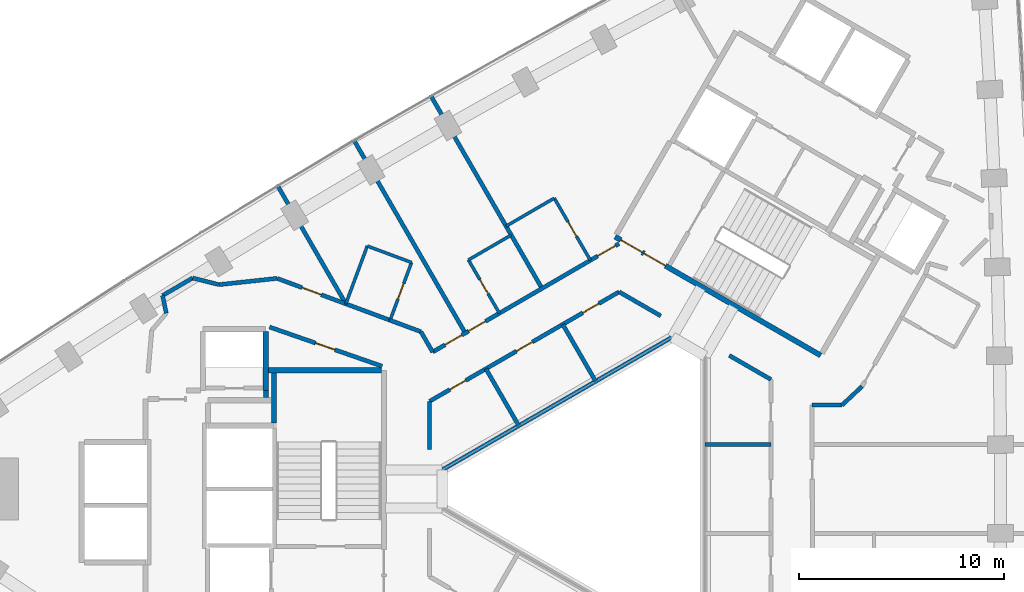
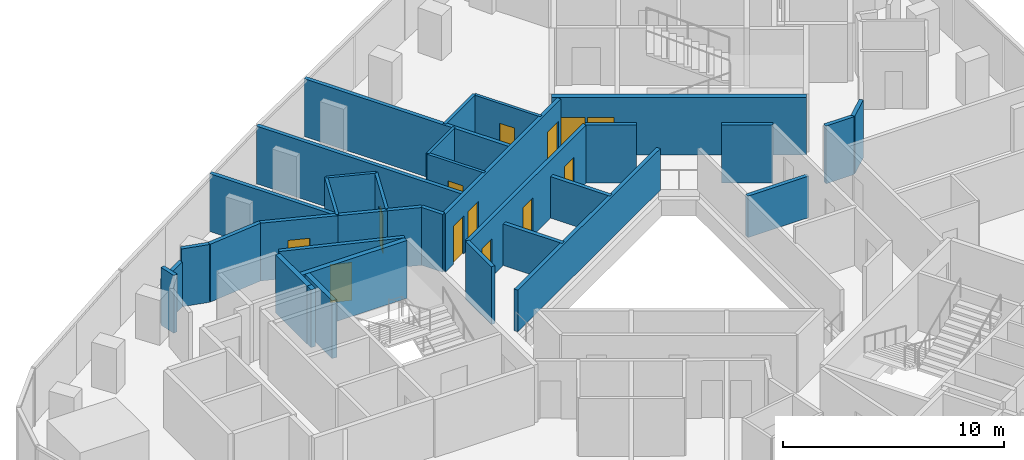
# One storey, part 10 of 13: 35 walls, 13 doors, 13 openings.
"""IFC4 building model written with IfcOpenShell, lengths in metres."""

from ifc_helpers import new_model, si_unit, direction, frame, frame_2d, origin, place, context, subcontext, project, spatial, rectangle, extrude, material, layer, layer_set, type_object, element, fill, save


model = new_model("IFC4")

# Units and contexts
model_context = context("Model", 3, precision=1e-05, world=origin(), true_north=direction((0.0, 1.0)))
body_context = subcontext(model_context, "Body", "Model", "MODEL_VIEW")
ifc_project = project(units=[si_unit("LENGTHUNIT", "METRE"), si_unit("AREAUNIT", "SQUARE_METRE"), si_unit("VOLUMEUNIT", "CUBIC_METRE"), si_unit("PLANEANGLEUNIT", "RADIAN"), si_unit("MASSUNIT", "GRAM", prefix="KILO")], contexts=[model_context])

# Site, building, storey
site_placement = place(None, origin())
site = spatial("IfcSite", under=ifc_project, at=site_placement, CompositionType="ELEMENT")
building_placement = place(site_placement, origin())
building = spatial("IfcBuilding", under=site, at=building_placement, Name="Tamra Quay Hotel Tower", CompositionType="ELEMENT")
storey_placement = place(building_placement, frame((0.0, 0.0, 161.199951171875)))
storey = spatial("IfcBuildingStorey", under=building, at=storey_placement, Name="L40", CompositionType="ELEMENT", Elevation=161.199951171875)

# Walls
ifc_material_1 = material(Name="Concrete M70", Category="concrete")
ifc_layer_1 = layer(ifc_material_1, 0.25)
ifc_layer_set_1 = layer_set([ifc_layer_1], Name="Concrete M70 core wall 250")
wall_type_1 = type_object("IfcWallType", Name="Concrete M70 core wall 250", PredefinedType="SHEAR", material=ifc_layer_set_1)
wall_1_placement = place(storey_placement, frame((-16.47216796875, 5.77490234375, 0.0), z_axis=(0.0, 0.0, 1.0), x_axis=(1.0, 0.0, 0.0)))
element("IfcWall", 1, at=wall_1_placement, inside=storey, type_object=wall_type_1, Name="CW1", PredefinedType="SHEAR", context=body_context, shape_type="SweptSolid", body=[
    extrude(rectangle(XDim=5.509521484375, YDim=0.25, at=frame_2d((2.7548828125, 0.0))), origin(), (0.0, 0.0, 1.0), 3.199951171875),
])
wall_2_placement = place(storey_placement, frame((-16.58740234375, 7.649658203125, 0.0), z_axis=(0.0, 0.0, 1.0), x_axis=(0.0, -1.0, 0.0)))
element("IfcWall", 2, at=wall_2_placement, inside=storey, type_object=wall_type_1, Name="CW1", PredefinedType="SHEAR", context=body_context, shape_type="SweptSolid", body=[
    extrude(rectangle(XDim=2.86474609375, YDim=0.25, at=frame_2d((1.432373046875, 0.0))), origin(), (0.0, 0.0, 1.0), 3.199951171875),
])
wall_3_placement = place(storey_placement, frame((-16.187255859375, 3.200439453125, 0.0), z_axis=(0.0, 0.0, 1.0), x_axis=(0.0, 1.0, 0.0)))
element("IfcWall", 3, at=wall_3_placement, inside=storey, type_object=wall_type_1, Name="CW1", PredefinedType="SHEAR", context=body_context, shape_type="SweptSolid", body=[
    extrude(rectangle(XDim=2.44921875, YDim=0.25, at=frame_2d((1.224609375, 0.0))), origin(), (0.0, 0.0, 1.0), 3.199951171875),
])
wall_4_placement = place(storey_placement, frame((-16.577392578125, 4.784912109375, 0.0), z_axis=(0.0, 0.0, 1.0), x_axis=(0.0, -1.0, 0.0)))
element("IfcWall", 4, at=wall_4_placement, inside=storey, type_object=wall_type_1, Name="CW1", PredefinedType="SHEAR", context=body_context, shape_type="SweptSolid", body=[
    extrude(rectangle(XDim=0.344482421875, YDim=0.25, at=frame_2d((0.17236328125, 0.0))), origin(), (0.0, 0.0, 1.0), 3.199951171875),
])

# Wall, openings, doors
wall_5_placement = place(storey_placement, frame((10.419921875, 6.497802734375, 0.0), z_axis=(0.0, 0.0, 1.0), x_axis=(-0.866021906294, 0.500006057782, 0.0)))
wall_5 = element("IfcWall", 5, at=wall_5_placement, inside=storey, type_object=wall_type_1, Name="CW1", PredefinedType="SHEAR", context=body_context, shape_type="SweptSolid", body=[
    extrude(rectangle(XDim=11.550048828125, YDim=0.25, at=frame_2d((5.77490234375, 0.0))), origin(), (0.0, 0.0, 1.0), 3.199951171875),
])
opening_1_placement = place(wall_5_placement, frame((10.02490234375, 0.0, 0.0)))
opening_1 = element("IfcOpeningElement", 6, at=opening_1_placement, cuts=wall_5, Name="Opening FD1", PredefinedType="OPENING", context=body_context, shape_type="SweptSolid", body=[
    extrude(rectangle(XDim=1.199951171875, YDim=2.10009765625, at=frame_2d((0.60009765625, 1.050048828125))), frame((0.0, 0.135009765625, 0.0), z_axis=(0.0, -1.0, 0.0), x_axis=(1.0, 0.0, 0.0)), (0.0, 0.0, 1.0), 0.27001953125),
])
opening_2_placement = place(wall_5_placement, frame((8.724853515625, 0.0, 0.0)))
opening_2 = element("IfcOpeningElement", 7, at=opening_2_placement, cuts=wall_5, Name="Opening FD1", PredefinedType="OPENING", context=body_context, shape_type="SweptSolid", body=[
    extrude(rectangle(XDim=1.199951171875, YDim=2.10009765625, at=frame_2d((0.60009765625, 1.050048828125))), frame((0.0, 0.135009765625, 0.0), z_axis=(0.0, -1.0, 0.0), x_axis=(1.0, 0.0, 0.0)), (0.0, 0.0, 1.0), 0.27001953125),
])
ifc_material_2 = material(Name="Core door FD1 1200x2100 LH")
door_type_1 = type_object("IfcDoorType", Name="Core door FD1 1200x2100 LH", OperationType="NOTDEFINED", PredefinedType="DOOR", material=ifc_material_2)
door_1_placement = place(opening_1_placement, origin())
door_1 = element("IfcDoor", 8, at=door_1_placement, inside=storey, type_object=door_type_1, Name="FD1", OperationType="SINGLE_SWING_LEFT", OverallHeight=2.10009765625, OverallWidth=1.199951171875, PredefinedType="DOOR", context=body_context, shape_type="SweptSolid", body=[
    extrude(rectangle(XDim=1.199951171875, YDim=2.10009765625, at=frame_2d((0.60009765625, 1.050048828125))), frame((0.0, 0.02490234375, 0.0), z_axis=(0.0, -1.0, 0.0), x_axis=(1.0, 0.0, 0.0)), (0.0, 0.0, 1.0), 0.050048828125),
])
fill(opening_1, door_1)
ifc_material_3 = material(Name="Core door FD1 1200x2100 RH")
door_type_2 = type_object("IfcDoorType", Name="Core door FD1 1200x2100 RH", OperationType="NOTDEFINED", PredefinedType="DOOR", material=ifc_material_3)
door_2_placement = place(opening_2_placement, origin())
door_2 = element("IfcDoor", 9, at=door_2_placement, inside=storey, type_object=door_type_2, Name="FD1", OperationType="SINGLE_SWING_RIGHT", OverallHeight=2.10009765625, OverallWidth=1.199951171875, PredefinedType="DOOR", context=body_context, shape_type="SweptSolid", body=[
    extrude(rectangle(XDim=1.199951171875, YDim=2.10009765625, at=frame_2d((0.60009765625, 1.050048828125))), frame((0.0, 0.02490234375, 0.0), z_axis=(0.0, -1.0, 0.0), x_axis=(1.0, 0.0, 0.0)), (0.0, 0.0, 1.0), 0.050048828125),
])
fill(opening_2, door_2)

# Walls
ifc_material_4 = material(Name="Partition corridor wall")
ifc_layer_2 = layer(ifc_material_4, 0.199951171875)
ifc_layer_set_2 = layer_set([ifc_layer_2], Name="Partition corridor wall")
wall_type_2 = type_object("IfcWallType", Name="Partition corridor wall", PredefinedType="PARTITIONING", material=ifc_layer_set_2)
wall_6_placement = place(storey_placement, frame((-21.60498046875, 9.412109375, 0.0), z_axis=(0.0, 0.0, 1.0), x_axis=(0.204764111512, -0.978811349871, 0.0)))
element("IfcWall", 10, at=wall_6_placement, inside=storey, type_object=wall_type_2, Name="W-C", PredefinedType="PARTITIONING", context=body_context, shape_type="SweptSolid", body=[
    extrude(rectangle(XDim=0.878662109375, YDim=0.199951171875, at=frame_2d((0.439453125, 0.0))), origin(), (0.0, 0.0, 1.0), 3.199951171875),
])
wall_7_placement = place(storey_placement, frame((-21.60400390625, 9.4130859375, 0.0), z_axis=(0.0, 0.0, 1.0), x_axis=(0.863736988548, 0.503942868402, 0.0)))
element("IfcWall", 11, at=wall_7_placement, inside=storey, type_object=wall_type_2, Name="W-C", PredefinedType="PARTITIONING", context=body_context, shape_type="SweptSolid", body=[
    extrude(rectangle(XDim=1.690185546875, YDim=0.199951171875, at=frame_2d((0.84521484375, 0.0))), origin(), (0.0, 0.0, 1.0), 2.484130859375),
])
wall_8_placement = place(storey_placement, frame((-20.14306640625, 10.26611328125, 0.0), z_axis=(0.0, 0.0, 1.0), x_axis=(0.969121308325, -0.246584447505, 0.0)))
element("IfcWall", 12, at=wall_8_placement, inside=storey, type_object=wall_type_2, Name="W-C", PredefinedType="PARTITIONING", context=body_context, shape_type="SweptSolid", body=[
    extrude(rectangle(XDim=1.31884765625, YDim=0.199951171875, at=frame_2d((0.659423828125, 0.0))), origin(), (0.0, 0.0, 1.0), 3.199951171875),
])
wall_9_placement = place(storey_placement, frame((-18.864990234375, 9.94091796875, 0.0), z_axis=(0.0, 0.0, 1.0), x_axis=(0.99423123086, 0.107257911519, 0.0)))
element("IfcWall", 13, at=wall_9_placement, inside=storey, type_object=wall_type_2, Name="W-C", PredefinedType="PARTITIONING", context=body_context, shape_type="SweptSolid", body=[
    extrude(rectangle(XDim=2.854248046875, YDim=0.199951171875, at=frame_2d((1.42724609375, 0.0))), origin(), (0.0, 0.0, 1.0), 3.199951171875),
])

# Wall, opening, door
wall_10_placement = place(storey_placement, frame((-16.40234375, 7.879150390625, 0.0), z_axis=(0.0, 0.0, 1.0), x_axis=(0.944492255471, -0.328533680702, 0.0)))
wall_10 = element("IfcWall", 14, at=wall_10_placement, inside=storey, type_object=wall_type_2, Name="W-C", PredefinedType="PARTITIONING", context=body_context, shape_type="SweptSolid", body=[
    extrude(rectangle(XDim=5.80224609375, YDim=0.199951171875, at=frame_2d((2.901123046875, 0.0))), origin(), (0.0, 0.0, 1.0), 3.199951171875),
])
opening_3_placement = place(wall_10_placement, frame((2.36962890625, 0.0, 0.0)))
opening_3 = element("IfcOpeningElement", 15, at=opening_3_placement, cuts=wall_10, Name="Opening L40-D012", PredefinedType="OPENING", context=body_context, shape_type="SweptSolid", body=[
    extrude(rectangle(XDim=1.0, YDim=2.10009765625, at=frame_2d((0.5, 1.050048828125))), frame((0.0, 0.10986328125, 0.0), z_axis=(0.0, -1.0, 0.0), x_axis=(1.0, 0.0, 0.0)), (0.0, 0.0, 1.0), 0.219970703125),
])
ifc_material_5 = material(Name="Door guest room 1000x2100")
door_type_3 = type_object("IfcDoorType", Name="Door guest room 1000x2100", OperationType="NOTDEFINED", PredefinedType="DOOR", material=ifc_material_5)
door_3_placement = place(opening_3_placement, frame((1.0, 0.0, 0.0), z_axis=(0.0, 0.0, 1.0), x_axis=(-1.0, 0.0, 0.0)))
door_3 = element("IfcDoor", 16, at=door_3_placement, inside=storey, type_object=door_type_3, Name="L40-D012", OperationType="SINGLE_SWING_LEFT", OverallHeight=2.10009765625, OverallWidth=1.0, PredefinedType="DOOR", context=body_context, shape_type="SweptSolid", body=[
    extrude(rectangle(XDim=1.0, YDim=2.10009765625, at=frame_2d((0.5, 1.050048828125))), frame((0.0, 0.02490234375, 0.0), z_axis=(0.0, -1.0, 0.0), x_axis=(1.0, 0.0, 0.0)), (0.0, 0.0, 1.0), 0.050048828125),
])
fill(opening_3, door_3)

wall_11_placement = place(storey_placement, frame((-16.0263671875, 10.244873046875, 0.0), z_axis=(0.0, 0.0, 1.0), x_axis=(0.937597839511, -0.347721571584, 0.0)))
wall_11 = element("IfcWall", 17, at=wall_11_placement, inside=storey, type_object=wall_type_2, Name="W-C", PredefinedType="PARTITIONING", context=body_context, shape_type="SweptSolid", body=[
    extrude(rectangle(XDim=3.572998046875, YDim=0.199951171875, at=frame_2d((1.78662109375, 0.0))), origin(), (0.0, 0.0, 1.0), 3.199951171875),
])
opening_4_placement = place(wall_11_placement, frame((1.28662109375, 0.0, 0.0)))
opening_4 = element("IfcOpeningElement", 18, at=opening_4_placement, cuts=wall_11, Name="Opening L40-D013", PredefinedType="OPENING", context=body_context, shape_type="SweptSolid", body=[
    extrude(rectangle(XDim=1.0, YDim=2.10009765625, at=frame_2d((0.5, 1.050048828125))), frame((0.0, 0.10986328125, 0.0), z_axis=(0.0, -1.0, 0.0), x_axis=(1.0, 0.0, 0.0)), (0.0, 0.0, 1.0), 0.219970703125),
])
door_4_placement = place(opening_4_placement, frame((1.0, 0.0, 0.0), z_axis=(0.0, 0.0, 1.0), x_axis=(-1.0, 0.0, 0.0)))
door_4 = element("IfcDoor", 19, at=door_4_placement, inside=storey, type_object=door_type_3, Name="L40-D013", OperationType="SINGLE_SWING_LEFT", OverallHeight=2.10009765625, OverallWidth=1.0, PredefinedType="DOOR", context=body_context, shape_type="SweptSolid", body=[
    extrude(rectangle(XDim=1.0, YDim=2.10009765625, at=frame_2d((0.5, 1.050048828125))), frame((0.0, 0.02490234375, 0.0), z_axis=(0.0, -1.0, 0.0), x_axis=(1.0, 0.0, 0.0)), (0.0, 0.0, 1.0), 0.050048828125),
])
fill(opening_4, door_4)

# Walls
wall_12_placement = place(storey_placement, frame((-12.698974609375, 9.010986328125, 0.0), z_axis=(0.0, 0.0, 1.0), x_axis=(0.937666284737, -0.347536959858, 0.0)))
element("IfcWall", 20, at=wall_12_placement, inside=storey, type_object=wall_type_2, Name="W-C", PredefinedType="PARTITIONING", context=body_context, shape_type="SweptSolid", body=[
    extrude(rectangle(XDim=2.32177734375, YDim=0.199951171875, at=frame_2d((1.160888671875, 0.0))), origin(), (0.0, 0.0, 1.0), 3.199951171875),
])
wall_13_placement = place(storey_placement, frame((-10.544921875, 8.2119140625, 0.0), z_axis=(0.0, 0.0, 1.0), x_axis=(0.937637162141, -0.347615523491, 0.0)))
element("IfcWall", 21, at=wall_13_placement, inside=storey, type_object=wall_type_2, Name="W-C", PredefinedType="PARTITIONING", context=body_context, shape_type="SweptSolid", body=[
    extrude(rectangle(XDim=1.6103515625, YDim=0.199951171875, at=frame_2d((0.80517578125, 0.0))), origin(), (0.0, 0.0, 1.0), 3.199951171875),
])
wall_14_placement = place(storey_placement, frame((-9.032958984375, 7.65087890625, 0.0), z_axis=(0.0, 0.0, 1.0), x_axis=(0.500758224517, -0.86558719987, 0.0)))
element("IfcWall", 22, at=wall_14_placement, inside=storey, type_object=wall_type_2, Name="W-C", PredefinedType="PARTITIONING", context=body_context, shape_type="SweptSolid", body=[
    extrude(rectangle(XDim=1.142333984375, YDim=0.199951171875, at=frame_2d((0.5712890625, 0.0))), origin(), (0.0, 0.0, 1.0), 3.199951171875),
])
wall_15_placement = place(storey_placement, frame((-8.612060546875, 1.926025390625, 0.0), z_axis=(0.0, 0.0, 1.0), x_axis=(0.0, 1.0, 0.0)))
element("IfcWall", 23, at=wall_15_placement, inside=storey, type_object=wall_type_2, Name="W-C", PredefinedType="PARTITIONING", context=body_context, shape_type="SweptSolid", body=[
    extrude(rectangle(XDim=2.3388671875, YDim=0.199951171875, at=frame_2d((1.16943359375, 0.0))), origin(), (0.0, 0.0, 1.0), 3.199951171875),
])

# Wall, openings, doors
wall_16_placement = place(storey_placement, frame((-8.61181640625, 4.2646484375, 0.0), z_axis=(0.0, 0.0, 1.0), x_axis=(0.865984415152, 0.500070987675, 0.0)))
wall_16 = element("IfcWall", 24, at=wall_16_placement, inside=storey, type_object=wall_type_2, Name="W-C", PredefinedType="PARTITIONING", context=body_context, shape_type="SweptSolid", body=[
    extrude(rectangle(XDim=10.6513671875, YDim=0.199951171875, at=frame_2d((5.32568359375, 0.0))), origin(), (0.0, 0.0, 1.0), 3.199951171875),
])
opening_5_placement = place(wall_16_placement, frame((8.61328125, 0.0, 0.0)))
opening_5 = element("IfcOpeningElement", 25, at=opening_5_placement, cuts=wall_16, Name="Opening L40-D027", PredefinedType="OPENING", context=body_context, shape_type="SweptSolid", body=[
    extrude(rectangle(XDim=0.89990234375, YDim=2.10009765625, at=frame_2d((0.449951171875, 1.050048828125))), frame((0.0, 0.10986328125, 0.0), z_axis=(0.0, -1.0, 0.0), x_axis=(1.0, 0.0, 0.0)), (0.0, 0.0, 1.0), 0.219970703125),
])
opening_6_placement = place(wall_16_placement, frame((4.8759765625, 0.0, 0.0)))
opening_6 = element("IfcOpeningElement", 26, at=opening_6_placement, cuts=wall_16, Name="Opening L40-D028", PredefinedType="OPENING", context=body_context, shape_type="SweptSolid", body=[
    extrude(rectangle(XDim=0.89990234375, YDim=2.10009765625, at=frame_2d((0.449951171875, 1.050048828125))), frame((0.0, 0.10986328125, 0.0), z_axis=(0.0, -1.0, 0.0), x_axis=(1.0, 0.0, 0.0)), (0.0, 0.0, 1.0), 0.219970703125),
])
opening_7_placement = place(wall_16_placement, frame((1.1376953125, 0.0, 0.0)))
opening_7 = element("IfcOpeningElement", 27, at=opening_7_placement, cuts=wall_16, Name="Opening L40-D029", PredefinedType="OPENING", context=body_context, shape_type="SweptSolid", body=[
    extrude(rectangle(XDim=0.89990234375, YDim=2.10009765625, at=frame_2d((0.449951171875, 1.050048828125))), frame((0.0, 0.10986328125, 0.0), z_axis=(0.0, -1.0, 0.0), x_axis=(1.0, 0.0, 0.0)), (0.0, 0.0, 1.0), 0.219970703125),
])
ifc_material_6 = material(Name="Door service room 900x2100")
door_type_4 = type_object("IfcDoorType", Name="Door service room 900x2100", OperationType="NOTDEFINED", PredefinedType="DOOR", material=ifc_material_6)
door_5_placement = place(opening_5_placement, frame((0.89990234375, 0.0, 0.0), z_axis=(0.0, 0.0, 1.0), x_axis=(-1.0, 0.0, 0.0)))
door_5 = element("IfcDoor", 28, at=door_5_placement, inside=storey, type_object=door_type_4, Name="L40-D027", OperationType="SINGLE_SWING_LEFT", OverallHeight=2.10009765625, OverallWidth=0.89990234375, PredefinedType="DOOR", context=body_context, shape_type="SweptSolid", body=[
    extrude(rectangle(XDim=0.89990234375, YDim=2.10009765625, at=frame_2d((0.449951171875, 1.050048828125))), frame((0.0, 0.02490234375, 0.0), z_axis=(0.0, -1.0, 0.0), x_axis=(1.0, 0.0, 0.0)), (0.0, 0.0, 1.0), 0.050048828125),
])
fill(opening_5, door_5)
door_6_placement = place(opening_6_placement, frame((0.89990234375, 0.0, 0.0), z_axis=(0.0, 0.0, 1.0), x_axis=(-1.0, 0.0, 0.0)))
door_6 = element("IfcDoor", 29, at=door_6_placement, inside=storey, type_object=door_type_4, Name="L40-D028", OperationType="SINGLE_SWING_LEFT", OverallHeight=2.10009765625, OverallWidth=0.89990234375, PredefinedType="DOOR", context=body_context, shape_type="SweptSolid", body=[
    extrude(rectangle(XDim=0.89990234375, YDim=2.10009765625, at=frame_2d((0.449951171875, 1.050048828125))), frame((0.0, 0.02490234375, 0.0), z_axis=(0.0, -1.0, 0.0), x_axis=(1.0, 0.0, 0.0)), (0.0, 0.0, 1.0), 0.050048828125),
])
fill(opening_6, door_6)
door_7_placement = place(opening_7_placement, frame((0.89990234375, 0.0, 0.0), z_axis=(0.0, 0.0, 1.0), x_axis=(-1.0, 0.0, 0.0)))
door_7 = element("IfcDoor", 30, at=door_7_placement, inside=storey, type_object=door_type_4, Name="L40-D029", OperationType="SINGLE_SWING_LEFT", OverallHeight=2.10009765625, OverallWidth=0.89990234375, PredefinedType="DOOR", context=body_context, shape_type="SweptSolid", body=[
    extrude(rectangle(XDim=0.89990234375, YDim=2.10009765625, at=frame_2d((0.449951171875, 1.050048828125))), frame((0.0, 0.02490234375, 0.0), z_axis=(0.0, -1.0, 0.0), x_axis=(1.0, 0.0, 0.0)), (0.0, 0.0, 1.0), 0.050048828125),
])
fill(opening_7, door_7)

wall_17_placement = place(storey_placement, frame((-8.462158203125, 6.663818359375, 0.0), z_axis=(0.0, 0.0, 1.0), x_axis=(0.864575369233, 0.502503165081, 0.0)))
wall_17 = element("IfcWall", 31, at=wall_17_placement, inside=storey, type_object=wall_type_2, Name="W-C", PredefinedType="PARTITIONING", context=body_context, shape_type="SweptSolid", body=[
    extrude(rectangle(XDim=10.491943359375, YDim=0.199951171875, at=frame_2d((5.24609375, 0.0))), origin(), (0.0, 0.0, 1.0), 3.199951171875),
])
opening_8_placement = place(wall_17_placement, frame((9.2919921875, 0.0, 0.0)))
opening_8 = element("IfcOpeningElement", 32, at=opening_8_placement, cuts=wall_17, Name="Opening L40-D006", PredefinedType="OPENING", context=body_context, shape_type="SweptSolid", body=[
    extrude(rectangle(XDim=1.0, YDim=2.10009765625, at=frame_2d((0.5, 1.050048828125))), frame((0.0, 0.10986328125, 0.0), z_axis=(0.0, -1.0, 0.0), x_axis=(1.0, 0.0, 0.0)), (0.0, 0.0, 1.0), 0.219970703125),
])
opening_9_placement = place(wall_17_placement, frame((2.024169921875, 0.0, 0.0)))
opening_9 = element("IfcOpeningElement", 33, at=opening_9_placement, cuts=wall_17, Name="Opening L40-D008", PredefinedType="OPENING", context=body_context, shape_type="SweptSolid", body=[
    extrude(rectangle(XDim=0.949951171875, YDim=2.10009765625, at=frame_2d((0.47509765625, 1.050048828125))), frame((0.0, 0.10986328125, 0.0), z_axis=(0.0, -1.0, 0.0), x_axis=(1.0, 0.0, 0.0)), (0.0, 0.0, 1.0), 0.219970703125),
])
opening_10_placement = place(wall_17_placement, frame((0.697509765625, 0.0, 0.0)))
opening_10 = element("IfcOpeningElement", 34, at=opening_10_placement, cuts=wall_17, Name="Opening L40-D010", PredefinedType="OPENING", context=body_context, shape_type="SweptSolid", body=[
    extrude(rectangle(XDim=0.949951171875, YDim=2.10009765625, at=frame_2d((0.47509765625, 1.050048828125))), frame((0.0, 0.10986328125, 0.0), z_axis=(0.0, -1.0, 0.0), x_axis=(1.0, 0.0, 0.0)), (0.0, 0.0, 1.0), 0.219970703125),
])
door_8_placement = place(opening_8_placement, origin())
door_8 = element("IfcDoor", 35, at=door_8_placement, inside=storey, type_object=door_type_3, Name="L40-D006", OperationType="SINGLE_SWING_LEFT", OverallHeight=2.10009765625, OverallWidth=1.0, PredefinedType="DOOR", context=body_context, shape_type="SweptSolid", body=[
    extrude(rectangle(XDim=1.0, YDim=2.10009765625, at=frame_2d((0.5, 1.050048828125))), frame((0.0, 0.02490234375, 0.0), z_axis=(0.0, -1.0, 0.0), x_axis=(1.0, 0.0, 0.0)), (0.0, 0.0, 1.0), 0.050048828125),
])
fill(opening_8, door_8)
ifc_material_7 = material(Name="Door guest room 950x2100")
door_type_5 = type_object("IfcDoorType", Name="Door guest room 950x2100", OperationType="NOTDEFINED", PredefinedType="DOOR", material=ifc_material_7)
door_9_placement = place(opening_9_placement, origin())
door_9 = element("IfcDoor", 36, at=door_9_placement, inside=storey, type_object=door_type_5, Name="L40-D008", OperationType="SINGLE_SWING_LEFT", OverallHeight=2.10009765625, OverallWidth=0.949951171875, PredefinedType="DOOR", context=body_context, shape_type="SweptSolid", body=[
    extrude(rectangle(XDim=0.949951171875, YDim=2.10009765625, at=frame_2d((0.47509765625, 1.050048828125))), frame((0.0, 0.02490234375, 0.0), z_axis=(0.0, -1.0, 0.0), x_axis=(1.0, 0.0, 0.0)), (0.0, 0.0, 1.0), 0.050048828125),
])
fill(opening_9, door_9)
door_10_placement = place(opening_10_placement, origin())
door_10 = element("IfcDoor", 37, at=door_10_placement, inside=storey, type_object=door_type_5, Name="L40-D010", OperationType="SINGLE_SWING_LEFT", OverallHeight=2.10009765625, OverallWidth=0.949951171875, PredefinedType="DOOR", context=body_context, shape_type="SweptSolid", body=[
    extrude(rectangle(XDim=0.949951171875, YDim=2.10009765625, at=frame_2d((0.47509765625, 1.050048828125))), frame((0.0, 0.02490234375, 0.0), z_axis=(0.0, -1.0, 0.0), x_axis=(1.0, 0.0, 0.0)), (0.0, 0.0, 1.0), 0.050048828125),
])
fill(opening_10, door_10)

# Walls
wall_18_placement = place(storey_placement, frame((0.61181640625, 9.590576171875, 0.0), z_axis=(0.0, 0.0, 1.0), x_axis=(0.866077886601, -0.499909086075, 0.0)))
element("IfcWall", 38, at=wall_18_placement, inside=storey, type_object=wall_type_2, Name="W-C", PredefinedType="PARTITIONING", context=body_context, shape_type="SweptSolid", body=[
    extrude(rectangle(XDim=2.34033203125, YDim=0.199951171875, at=frame_2d((1.170166015625, 0.0))), origin(), (0.0, 0.0, 1.0), 3.199951171875),
])
wall_19_placement = place(storey_placement, frame((5.972900390625, 6.49609375, 0.0), z_axis=(0.0, 0.0, 1.0), x_axis=(0.866058792507, -0.499942164577, 0.0)))
element("IfcWall", 39, at=wall_19_placement, inside=storey, type_object=wall_type_2, Name="W-C", PredefinedType="PARTITIONING", context=body_context, shape_type="SweptSolid", body=[
    extrude(rectangle(XDim=2.340576171875, YDim=0.199951171875, at=frame_2d((1.17041015625, 0.0))), origin(), (0.0, 0.0, 1.0), 3.199951171875),
])
wall_20_placement = place(storey_placement, frame((10.0, 4.077880859375, 0.0), z_axis=(0.0, 0.0, 1.0), x_axis=(1.0, 0.0, 0.0)))
element("IfcWall", 40, at=wall_20_placement, inside=storey, type_object=wall_type_2, Name="W-C", PredefinedType="PARTITIONING", context=body_context, shape_type="SweptSolid", body=[
    extrude(rectangle(XDim=1.4580078125, YDim=0.199951171875, at=frame_2d((0.72900390625, 0.0))), origin(), (0.0, 0.0, 1.0), 3.199951171875),
])
wall_21_placement = place(storey_placement, frame((11.4580078125, 4.077880859375, 0.0), z_axis=(0.0, 0.0, 1.0), x_axis=(0.729936032318, 0.683515463412, 0.0)))
element("IfcWall", 41, at=wall_21_placement, inside=storey, type_object=wall_type_2, Name="W-C", PredefinedType="PARTITIONING", context=body_context, shape_type="SweptSolid", body=[
    extrude(rectangle(XDim=1.3359375, YDim=0.199951171875, at=frame_2d((0.66796875, 0.0))), origin(), (0.0, 0.0, 1.0), 3.199951171875),
])
ifc_material_8 = material(Name="Partition en-suite wall")
ifc_layer_3 = layer(ifc_material_8, 0.14990234375)
ifc_layer_set_3 = layer_set([ifc_layer_3], Name="Partition en-suite wall")
wall_type_3 = type_object("IfcWallType", Name="Partition en-suite wall", PredefinedType="PARTITIONING", material=ifc_layer_set_3)
wall_22_placement = place(storey_placement, frame((-12.68701171875, 9.008056640625, 0.0), z_axis=(0.0, 0.0, 1.0), x_axis=(0.347929104424, 0.937520846859, 0.0)))
element("IfcWall", 42, at=wall_22_placement, inside=storey, type_object=wall_type_3, Name="W-E", PredefinedType="PARTITIONING", context=body_context, shape_type="SweptSolid", body=[
    extrude(rectangle(XDim=3.00048828125, YDim=0.14990234375, at=frame_2d((1.500244140625, 0.0))), origin(), (0.0, 0.0, 1.0), 3.199951171875),
])
wall_23_placement = place(storey_placement, frame((-11.64306640625, 11.821044921875, 0.0), z_axis=(0.0, 0.0, 1.0), x_axis=(0.937429235302, -0.348175859015, 0.0)))
element("IfcWall", 43, at=wall_23_placement, inside=storey, type_object=wall_type_3, Name="W-E", PredefinedType="PARTITIONING", context=body_context, shape_type="SweptSolid", body=[
    extrude(rectangle(XDim=2.2978515625, YDim=0.14990234375, at=frame_2d((1.14892578125, 0.0))), origin(), (0.0, 0.0, 1.0), 3.199951171875),
])

# Wall, opening, door
wall_24_placement = place(storey_placement, frame((-10.532958984375, 8.208984375, 0.0), z_axis=(0.0, 0.0, 1.0), x_axis=(0.348035300423, 0.937481428968, 0.0)))
wall_24 = element("IfcWall", 44, at=wall_24_placement, inside=storey, type_object=wall_type_3, Name="W-E", PredefinedType="PARTITIONING", context=body_context, shape_type="SweptSolid", body=[
    extrude(rectangle(XDim=2.99951171875, YDim=0.14990234375, at=frame_2d((1.499755859375, 0.0))), origin(), (0.0, 0.0, 1.0), 3.199951171875),
])
opening_11_placement = place(wall_24_placement, frame((1.099609375, 0.0, 0.0)))
opening_11 = element("IfcOpeningElement", 45, at=opening_11_placement, cuts=wall_24, Name="Opening L40-D011", PredefinedType="OPENING", context=body_context, shape_type="SweptSolid", body=[
    extrude(rectangle(XDim=0.800048828125, YDim=2.10009765625, at=frame_2d((0.39990234375, 1.050048828125))), frame((0.0, 0.0849609375, 0.0), z_axis=(0.0, -1.0, 0.0), x_axis=(1.0, 0.0, 0.0)), (0.0, 0.0, 1.0), 0.169921875),
])
ifc_material_9 = material(Name="Door en-suite 800x2100")
door_type_6 = type_object("IfcDoorType", Name="Door en-suite 800x2100", OperationType="NOTDEFINED", PredefinedType="DOOR", material=ifc_material_9)
door_11_placement = place(opening_11_placement, origin())
door_11 = element("IfcDoor", 46, at=door_11_placement, inside=storey, type_object=door_type_6, Name="L40-D011", OperationType="SINGLE_SWING_LEFT", OverallHeight=2.10009765625, OverallWidth=0.800048828125, PredefinedType="DOOR", context=body_context, shape_type="SweptSolid", body=[
    extrude(rectangle(XDim=0.800048828125, YDim=2.10009765625, at=frame_2d((0.39990234375, 1.050048828125))), frame((0.0, 0.02490234375, 0.0), z_axis=(0.0, -1.0, 0.0), x_axis=(1.0, 0.0, 0.0)), (0.0, 0.0, 1.0), 0.050048828125),
])
fill(opening_11, door_11)

wall_25_placement = place(storey_placement, frame((-6.720947265625, 11.14404296875, 0.0), z_axis=(0.0, 0.0, 1.0), x_axis=(0.502742108773, -0.864436447673, 0.0)))
wall_25 = element("IfcWall", 47, at=wall_25_placement, inside=storey, type_object=wall_type_3, Name="W-E", PredefinedType="PARTITIONING", context=body_context, shape_type="SweptSolid", body=[
    extrude(rectangle(XDim=2.999755859375, YDim=0.14990234375, at=frame_2d((1.5, 0.0))), origin(), (0.0, 0.0, 1.0), 3.199951171875),
])
opening_12_placement = place(wall_25_placement, frame((1.099853515625, 0.0, 0.0)))
opening_12 = element("IfcOpeningElement", 48, at=opening_12_placement, cuts=wall_25, Name="Opening L40-D009", PredefinedType="OPENING", context=body_context, shape_type="SweptSolid", body=[
    extrude(rectangle(XDim=0.800048828125, YDim=2.10009765625, at=frame_2d((0.39990234375, 1.050048828125))), frame((0.0, 0.0849609375, 0.0), z_axis=(0.0, -1.0, 0.0), x_axis=(1.0, 0.0, 0.0)), (0.0, 0.0, 1.0), 0.169921875),
])
door_12_placement = place(opening_12_placement, origin())
door_12 = element("IfcDoor", 49, at=door_12_placement, inside=storey, type_object=door_type_6, Name="L40-D009", OperationType="SINGLE_SWING_LEFT", OverallHeight=2.10009765625, OverallWidth=0.800048828125, PredefinedType="DOOR", context=body_context, shape_type="SweptSolid", body=[
    extrude(rectangle(XDim=0.800048828125, YDim=2.10009765625, at=frame_2d((0.39990234375, 1.050048828125))), frame((0.0, 0.02490234375, 0.0), z_axis=(0.0, -1.0, 0.0), x_axis=(1.0, 0.0, 0.0)), (0.0, 0.0, 1.0), 0.050048828125),
])
fill(opening_12, door_12)

# Walls
wall_26_placement = place(storey_placement, frame((-6.720947265625, 11.14404296875, 0.0), z_axis=(0.0, 0.0, 1.0), x_axis=(0.864386917082, 0.502827264155, 0.0)))
element("IfcWall", 50, at=wall_26_placement, inside=storey, type_object=wall_type_3, Name="W-E", PredefinedType="PARTITIONING", context=body_context, shape_type="SweptSolid", body=[
    extrude(rectangle(XDim=2.400390625, YDim=0.14990234375, at=frame_2d((1.2001953125, 0.0))), origin(), (0.0, 0.0, 1.0), 3.199951171875),
])
wall_27_placement = place(storey_placement, frame((-4.887939453125, 12.7880859375, 0.0), z_axis=(0.0, 0.0, 1.0), x_axis=(0.864480777266, 0.502665878827, 0.0)))
element("IfcWall", 51, at=wall_27_placement, inside=storey, type_object=wall_type_3, Name="W-E", PredefinedType="PARTITIONING", context=body_context, shape_type="SweptSolid", body=[
    extrude(rectangle(XDim=2.709228515625, YDim=0.14990234375, at=frame_2d((1.3544921875, 0.0))), origin(), (0.0, 0.0, 1.0), 3.199951171875),
])

# Wall, opening, door
wall_28_placement = place(storey_placement, frame((-2.54296875, 14.14892578125, 0.0), z_axis=(0.0, 0.0, 1.0), x_axis=(0.502854686853, -0.864370964292, 0.0)))
wall_28 = element("IfcWall", 52, at=wall_28_placement, inside=storey, type_object=wall_type_3, Name="W-E", PredefinedType="PARTITIONING", context=body_context, shape_type="SweptSolid", body=[
    extrude(rectangle(XDim=3.49609375, YDim=0.14990234375, at=frame_2d((1.748046875, 0.0))), origin(), (0.0, 0.0, 1.0), 3.199951171875),
])
opening_13_placement = place(wall_28_placement, frame((1.34765625, 0.0, 0.0)))
opening_13 = element("IfcOpeningElement", 53, at=opening_13_placement, cuts=wall_28, Name="Opening L40-D007", PredefinedType="OPENING", context=body_context, shape_type="SweptSolid", body=[
    extrude(rectangle(XDim=0.800048828125, YDim=2.10009765625, at=frame_2d((0.39990234375, 1.050048828125))), frame((0.0, 0.0849609375, 0.0), z_axis=(0.0, -1.0, 0.0), x_axis=(1.0, 0.0, 0.0)), (0.0, 0.0, 1.0), 0.169921875),
])
door_13_placement = place(opening_13_placement, origin())
door_13 = element("IfcDoor", 54, at=door_13_placement, inside=storey, type_object=door_type_6, Name="L40-D007", OperationType="SINGLE_SWING_LEFT", OverallHeight=2.10009765625, OverallWidth=0.800048828125, PredefinedType="DOOR", context=body_context, shape_type="SweptSolid", body=[
    extrude(rectangle(XDim=0.800048828125, YDim=2.10009765625, at=frame_2d((0.39990234375, 1.050048828125))), frame((0.0, 0.02490234375, 0.0), z_axis=(0.0, -1.0, 0.0), x_axis=(1.0, 0.0, 0.0)), (0.0, 0.0, 1.0), 0.050048828125),
])
fill(opening_13, door_13)

# Walls
ifc_material_10 = material(Name="Partition party wall")
ifc_layer_4 = layer(ifc_material_10, 0.199951171875)
ifc_layer_set_4 = layer_set([ifc_layer_4], Name="Partition party wall")
wall_type_4 = type_object("IfcWallType", Name="Partition party wall", PredefinedType="PARTITIONING", material=ifc_layer_set_4)
wall_29_placement = place(storey_placement, frame((-15.996337890625, 14.73974609375, 0.0), z_axis=(0.0, 0.0, 1.0), x_axis=(0.500015153377, -0.866016654801, 0.0)))
element("IfcWall", 55, at=wall_29_placement, inside=storey, type_object=wall_type_4, Name="W-P", PredefinedType="PARTITIONING", context=body_context, shape_type="SweptSolid", body=[
    extrude(rectangle(XDim=6.618408203125, YDim=0.199951171875, at=frame_2d((3.30908203125, 0.0))), origin(), (0.0, 0.0, 1.0), 3.199951171875),
])
wall_30_placement = place(storey_placement, frame((-12.278564453125, 16.94580078125, 0.0), z_axis=(0.0, 0.0, 1.0), x_axis=(0.500003997498, -0.866023095816, 0.0)))
element("IfcWall", 56, at=wall_30_placement, inside=storey, type_object=wall_type_4, Name="W-P", PredefinedType="PARTITIONING", context=body_context, shape_type="SweptSolid", body=[
    extrude(rectangle(XDim=10.80908203125, YDim=0.199951171875, at=frame_2d((5.404541015625, 0.0))), origin(), (0.0, 0.0, 1.0), 3.199951171875),
])
wall_31_placement = place(storey_placement, frame((-8.535400390625, 19.10693359375, 0.0), z_axis=(0.0, 0.0, 1.0), x_axis=(0.499882324153, -0.866093333307, 0.0)))
element("IfcWall", 57, at=wall_31_placement, inside=storey, type_object=wall_type_4, Name="W-P", PredefinedType="PARTITIONING", context=body_context, shape_type="SweptSolid", body=[
    extrude(rectangle(XDim=10.7958984375, YDim=0.199951171875, at=frame_2d((5.39794921875, 0.0))), origin(), (0.0, 0.0, 1.0), 3.199951171875),
])
wall_32_placement = place(storey_placement, frame((-8.0, 0.924072265625, 0.0), z_axis=(0.0, 0.0, 1.0), x_axis=(0.86604129137, 0.499972480886, 0.0)))
element("IfcWall", 58, at=wall_32_placement, inside=storey, type_object=wall_type_4, Name="W-P", PredefinedType="PARTITIONING", context=body_context, shape_type="SweptSolid", body=[
    extrude(rectangle(XDim=12.932373046875, YDim=0.199951171875, at=frame_2d((6.46630859375, 0.0))), origin(), (0.0, 0.0, 1.0), 2.300048828125),
])
for number, where, z_axis, x_axis, name in (
    (59, (-5.871337890625, 5.848388671875, 0.0), (0.0, 0.0, 1.0), (0.500019588391, -0.866014094126, 0.0), "W-P"),
    (60, (-2.129638671875, 8.008056640625, 0.0), (0.0, 0.0, 1.0), (0.499872130319, -0.866099216793, 0.0), "W-P"),
):
    element("IfcWall", number, at=place(storey_placement, frame(where, z_axis=z_axis, x_axis=x_axis)), inside=storey, type_object=wall_type_4, Name=name, PredefinedType="PARTITIONING", context=body_context, shape_type="SweptSolid", body=[
        extrude(rectangle(XDim=3.200439453125, YDim=0.199951171875, at=frame_2d((1.60009765625, 0.0))), origin(), (0.0, 0.0, 1.0), 2.300048828125),
    ])
wall_33_placement = place(storey_placement, frame((4.800048828125, 2.160888671875, 0.0), z_axis=(0.0, 0.0, 1.0), x_axis=(1.0, 0.0, 0.0)))
element("IfcWall", 61, at=wall_33_placement, inside=storey, type_object=wall_type_4, Name="W-P", PredefinedType="PARTITIONING", context=body_context, shape_type="SweptSolid", body=[
    extrude(rectangle(XDim=3.199951171875, YDim=0.199951171875, at=frame_2d((1.60009765625, 0.0))), origin(), (0.0, 0.0, 1.0), 2.300048828125),
])

save(model, "model.ifc")
